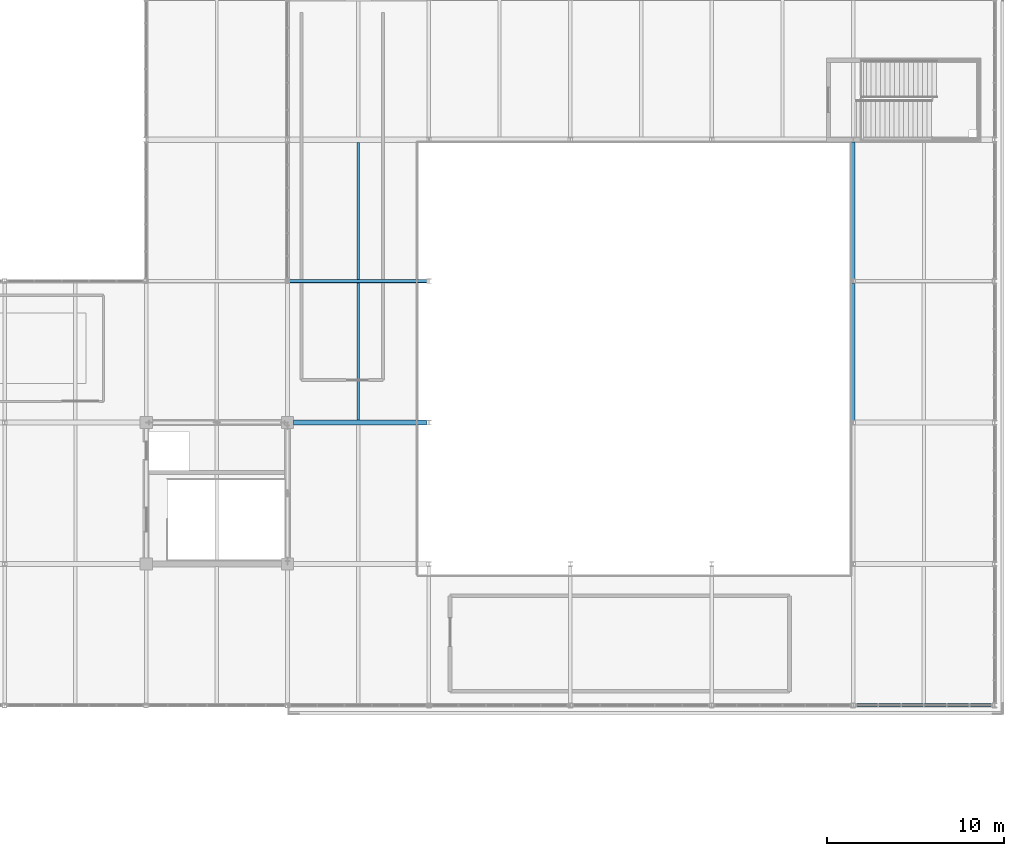
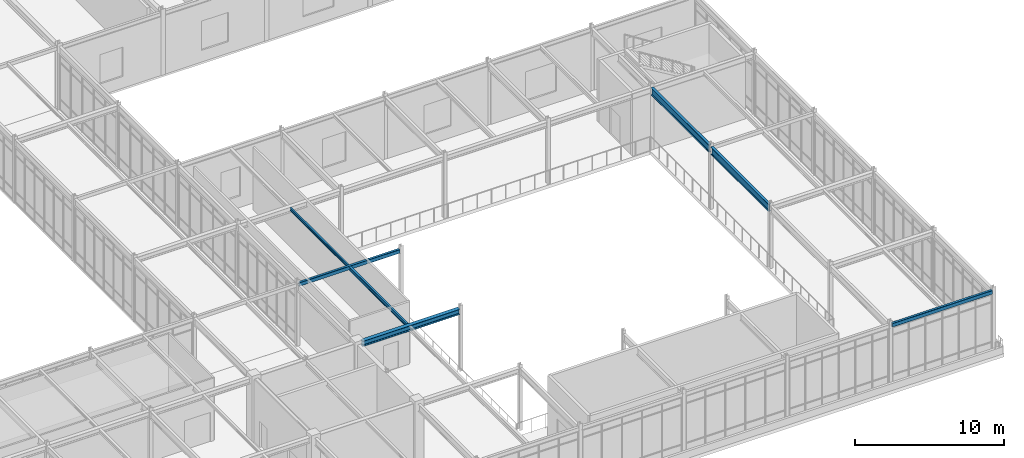
# One storey, part 74 of 184: 7 beams.
"""IFC4 building model written with IfcOpenShell, lengths in metres."""

from ifc_helpers import new_model, si_unit, direction, frame, origin, origin_2d, place, context, subcontext, project, spatial, hollow_rectangle, i_section, extrude, material, material_profile, profile_set, type_object, element, save


model = new_model("IFC4")

# Units and contexts
model_context = context("Model", 3, precision=1e-05, world=origin(), true_north=direction((0.0, 1.0)))
body_context = subcontext(model_context, "Body", "Model", "MODEL_VIEW")
ifc_project = project(units=[si_unit("LENGTHUNIT", "METRE"), si_unit("AREAUNIT", "SQUARE_METRE"), si_unit("VOLUMEUNIT", "CUBIC_METRE"), si_unit("PLANEANGLEUNIT", "RADIAN"), si_unit("MASSUNIT", "GRAM", prefix="KILO")], contexts=[model_context])

# Site, building, storey
site_placement = place(None, origin())
site = spatial("IfcSite", under=ifc_project, at=site_placement, CompositionType="ELEMENT")
building_placement = place(site_placement, origin())
building = spatial("IfcBuilding", under=site, at=building_placement, Name="Zhaolan Boulevard Law Courts", CompositionType="ELEMENT")
storey_placement = place(building_placement, frame((0.0, 0.0, 5.39990234375)))
storey = spatial("IfcBuildingStorey", under=building, at=storey_placement, Name="L01", CompositionType="ELEMENT", Elevation=5.39990234375)

# Beams
ifc_material_1 = material(Name="Structural steel Q355B", Category="steel")
ifc_material_profile_1 = material_profile(ifc_material_1, i_section(OverallWidth=0.300048828125, OverallDepth=0.43994140625, WebThickness=0.010986328125, FlangeThickness=0.01806640625, FilletRadius=0.02001953125, at=origin_2d()), Name="HM440x300")
ifc_profile_set_1 = profile_set([ifc_material_profile_1], Name="Structural steel Q355B")
beam_type_1 = type_object("IfcBeamType", Name="GIRDER HM440", PredefinedType="BEAM", material=ifc_profile_set_1)
beam_1_placement = place(storey_placement, frame((124.345947265625, 22.0, 4.898193359375), z_axis=(1.0, 0.0, 0.0), x_axis=(0.0, 1.0, 0.0)))
element("IfcBeam", 1, at=beam_1_placement, inside=storey, type_object=beam_type_1, Name="Beam BX-L02-16-17-D", PredefinedType="BEAM", context=body_context, shape_type="SweptSolid", body=[
    extrude(i_section(OverallWidth=0.300048828125, OverallDepth=0.43994140625, WebThickness=0.010986328125, FlangeThickness=0.01806640625, FilletRadius=0.02001953125, at=origin_2d()), origin(), (0.0, 0.0, 1.0), 7.532958984375),
])
ifc_material_2 = material(Name="Structural steel Q355B", Category="steel")
ifc_material_profile_2 = material_profile(ifc_material_2, i_section(OverallWidth=0.199951171875, OverallDepth=0.60009765625, WebThickness=0.010986328125, FlangeThickness=0.01708984375, FilletRadius=0.02001953125, at=origin_2d()), Name="HN600x200")
ifc_profile_set_2 = profile_set([ifc_material_profile_2], Name="Structural steel Q355B")
beam_type_2 = type_object("IfcBeamType", Name="GIRDER HN600", PredefinedType="BEAM", material=ifc_profile_set_2)
for number, where, z_axis, x_axis, name in (
    (2, (156.0, 22.12109375, 4.818115234375), (0.0, 1.0, 0.0), (-1.0, 0.0, 0.0), "Beam BY-L02-20-D-E"),
    (3, (156.0, 30.12109375, 4.818115234375), (0.0, 1.0, 0.0), (-1.0, 0.0, 0.0), "Beam BY-L02-20-E-F"),
):
    element("IfcBeam", number, at=place(storey_placement, frame(where, z_axis=z_axis, x_axis=x_axis)), inside=storey, type_object=beam_type_2, Name=name, PredefinedType="BEAM", context=body_context, shape_type="SweptSolid", body=[
        extrude(i_section(OverallWidth=0.199951171875, OverallDepth=0.60009765625, WebThickness=0.010986328125, FlangeThickness=0.01708984375, FilletRadius=0.02001953125, at=origin_2d()), origin(), (0.0, 0.0, 1.0), 7.7578125),
    ])
ifc_material_3 = material(Name="Structural steel Q355B", Category="steel")
ifc_material_profile_3 = material_profile(ifc_material_3, i_section(OverallWidth=0.125, OverallDepth=0.25, WebThickness=0.006103515625, FlangeThickness=0.009033203125, FilletRadius=0.010009765625, at=origin_2d()), Name="HN250x125")
ifc_profile_set_3 = profile_set([ifc_material_profile_3], Name="Structural steel Q355B")
beam_type_3 = type_object("IfcBeamType", Name="JOIST HN250", PredefinedType="JOIST", material=ifc_profile_set_3)
beam_2_placement = place(storey_placement, frame((128.0, 30.095947265625, 4.9931640625), z_axis=(0.0, 1.0, 0.0), x_axis=(-1.0, 0.0, 0.0)))
element("IfcBeam", 4, at=beam_2_placement, inside=storey, type_object=beam_type_3, Name="Composite Joist J-L02-16E", PredefinedType="JOIST", context=body_context, shape_type="SweptSolid", body=[
    extrude(i_section(OverallWidth=0.125, OverallDepth=0.25, WebThickness=0.006103515625, FlangeThickness=0.009033203125, FilletRadius=0.010009765625, at=origin_2d()), origin(), (0.0, 0.0, 1.0), 7.758056640625),
])
ifc_material_4 = material(Name="Structural steel Q355B", Category="steel")
ifc_material_profile_4 = material_profile(ifc_material_4, i_section(OverallWidth=0.14990234375, OverallDepth=0.300048828125, WebThickness=0.006591796875, FlangeThickness=0.009033203125, FilletRadius=0.010986328125, at=origin_2d()), Name="HN300x150")
ifc_profile_set_4 = profile_set([ifc_material_profile_4], Name="Structural steel Q355B")
beam_type_4 = type_object("IfcBeamType", Name="JOIST HN300", PredefinedType="JOIST", material=ifc_profile_set_4)
beam_3_placement = place(storey_placement, frame((128.0, 22.14599609375, 4.968017578125), z_axis=(0.0, 1.0, 0.0), x_axis=(-1.0, 0.0, 0.0)))
element("IfcBeam", 5, at=beam_3_placement, inside=storey, type_object=beam_type_4, Name="Composite Joist J-L02-16D", PredefinedType="JOIST", context=body_context, shape_type="SweptSolid", body=[
    extrude(i_section(OverallWidth=0.14990234375, OverallDepth=0.300048828125, WebThickness=0.006591796875, FlangeThickness=0.009033203125, FilletRadius=0.010986328125, at=origin_2d()), origin(), (0.0, 0.0, 1.0), 7.758056640625),
])
ifc_material_5 = material(Name="Structural steel Q355B", Category="steel")
ifc_material_profile_5 = material_profile(ifc_material_5, hollow_rectangle(XDim=0.199951171875, YDim=0.300048828125, WallThickness=0.011962890625, InnerFilletRadius=0.011962890625, OuterFilletRadius=0.02392578125, at=origin_2d()), Name="HSS300x200x12")
ifc_profile_set_5 = profile_set([ifc_material_profile_5], Name="Structural steel Q355B")
beam_type_5 = type_object("IfcBeamType", Name="SPANDREL HSS300", PredefinedType="SPANDREL", material=ifc_profile_set_5)
for number, where, z_axis, x_axis, name in (
    (6, (156.12109375, 6.0, 4.968017578125), (1.0, 0.0, 0.0), (0.0, 1.0, 0.0), "Beam BX-L02-20-21-B"),
    (7, (124.12109375, 30.0, 4.968017578125), (1.0, 0.0, 0.0), (0.0, 1.0, 0.0), "Beam BX-L02-16-17-E"),
):
    element("IfcBeam", number, at=place(storey_placement, frame(where, z_axis=z_axis, x_axis=x_axis)), inside=storey, type_object=beam_type_5, Name=name, PredefinedType="SPANDREL", context=body_context, shape_type="SweptSolid", body=[
        extrude(hollow_rectangle(XDim=0.199951171875, YDim=0.300048828125, WallThickness=0.011962890625, InnerFilletRadius=0.011962890625, OuterFilletRadius=0.02392578125, at=origin_2d()), origin(), (0.0, 0.0, 1.0), 7.7578125),
    ])

save(model, "model.ifc")
